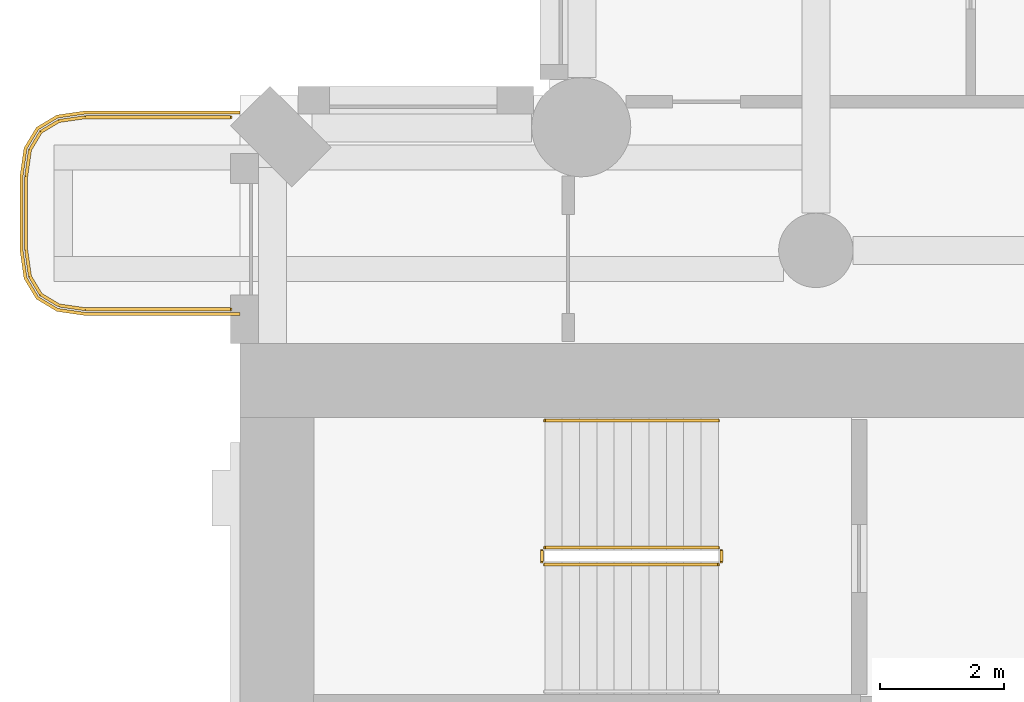
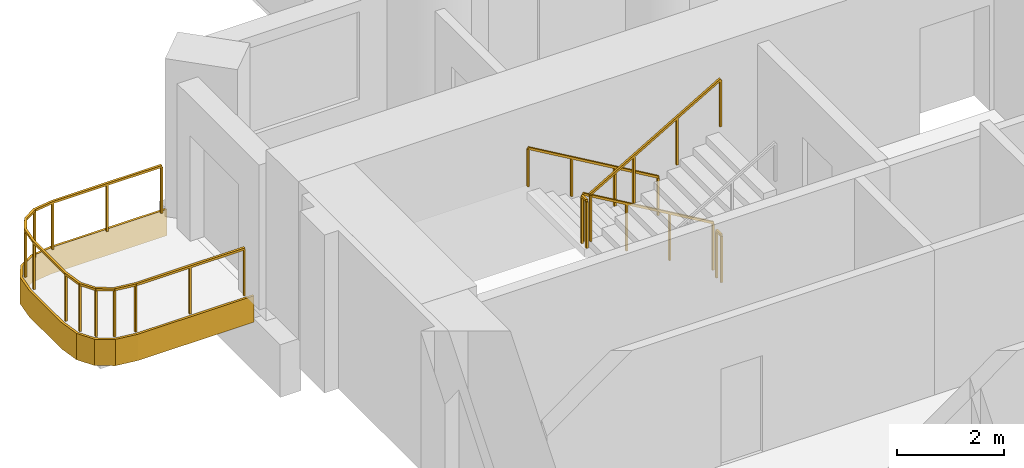
# One storey, part 16 of 19: 6 railings, 1 covering.
"""IFC4 building model written with IfcOpenShell, lengths in metres."""

from ifc_helpers import new_model, si_unit, direction, frame, origin, origin_2d, place, context, subcontext, project, spatial, polyline, rectangle, outline, extrude, material, layer, layer_set, type_object, element, save


model = new_model("IFC4")

# Units and contexts
model_context = context("Model", 3, precision=1e-05, world=origin(), true_north=direction((0.0, 1.0)))
body_context = subcontext(model_context, "Body", "Model", "MODEL_VIEW")
ifc_project = project(units=[si_unit("LENGTHUNIT", "METRE"), si_unit("AREAUNIT", "SQUARE_METRE"), si_unit("VOLUMEUNIT", "CUBIC_METRE"), si_unit("PLANEANGLEUNIT", "RADIAN"), si_unit("MASSUNIT", "GRAM", prefix="KILO")], contexts=[model_context])

# Site, building, storey
site_placement = place(None, origin())
site = spatial("IfcSite", under=ifc_project, at=site_placement, CompositionType="ELEMENT")
building_placement = place(site_placement, origin())
building = spatial("IfcBuilding", under=site, at=building_placement, Name="Cypress Arch Tower", CompositionType="ELEMENT")
storey_placement = place(building_placement, frame((0.0, 0.0, 98.699951171875)))
storey = spatial("IfcBuildingStorey", under=building, at=storey_placement, Name="L19", CompositionType="ELEMENT", Elevation=98.699951171875)

# Covering
ifc_material_1 = material(Name="White powder-coated aluminium fascia", Category="aluminium")
ifc_layer = layer(ifc_material_1, 0.050048828125)
ifc_layer_set = layer_set([ifc_layer], Name="Balcony fascia BF50")
covering_type = type_object("IfcCoveringType", Name="Balcony fascia BF50", PredefinedType="CLADDING", material=ifc_layer_set)
covering_placement = place(storey_placement, frame((0.0, 0.0, -0.599853515625)))
element("IfcCovering", 1, at=covering_placement, inside=storey, type_object=covering_type, Name="Balcony fascia L19-A00W0", PredefinedType="CLADDING", context=body_context, shape_type="SweptSolid", body=[
    extrude(outline(polyline([(-32.503662109375, 16.449951171875), (-32.95458984375, 16.514404296875), (-33.286376953125, 16.713623046875), (-33.485595703125, 17.04541015625), (-33.550048828125, 17.496337890625), (-33.550048828125, 18.70361328125), (-33.485595703125, 19.154541015625), (-33.286376953125, 19.486328125), (-32.95458984375, 19.685546875), (-32.503662109375, 19.75), (-30.0009765625, 19.75), (-30.0009765625, 19.699951171875), (-32.5, 19.699951171875), (-32.9375, 19.637451171875), (-33.25, 19.449951171875), (-33.4375, 19.137451171875), (-33.5, 18.699951171875), (-33.5, 17.5), (-33.4375, 17.0625), (-33.25, 16.75), (-32.9375, 16.5625), (-32.5, 16.5), (-30.0009765625, 16.5), (-30.0009765625, 16.449951171875), (-32.503662109375, 16.449951171875)])), origin(), (0.0, 0.0, 1.0), 0.599853515625),
])

# Railings
ifc_material_2 = material(Name="Powder-coated steel posts and rods, 100 mm clear between rods", Category="steel")
railing_type_1 = type_object("IfcRailingType", Name="Balcony guard GR1100", PredefinedType="GUARDRAIL", material=ifc_material_2)
railing_1_placement = place(storey_placement, frame((-30.14990234375, 16.550048828125, 0.0)))
element("IfcRailing", 2, at=railing_1_placement, inside=storey, type_object=railing_type_1, Name="Balcony guard L19-A00W0", PredefinedType="GUARDRAIL", context=body_context, shape_type="SweptSolid", body=[
    extrude(rectangle(XDim=0.050048828125, YDim=0.050048828125, at=origin_2d()), frame((0.0, 0.0, 1.0751953125), z_axis=(-1.0, 0.0, 0.0), x_axis=(0.0, -1.0, 0.0)), (0.0, 0.0, 1.0), 2.346435546875),
    extrude(rectangle(XDim=0.050048828125, YDim=0.050048828125, at=origin_2d()), frame((-2.346435546875, 0.0, 1.0751953125), z_axis=(-0.989960888959, 0.141341566184, 0.0), x_axis=(-0.141341566184, -0.989960888959, 0.0)), (0.0, 0.0, 1.0), 0.428466796875),
    extrude(rectangle(XDim=0.050048828125, YDim=0.050048828125, at=origin_2d()), frame((-2.7705078125, 0.060546875, 1.0751953125), z_axis=(-0.857681904839, 0.514180659021, 0.0), x_axis=(-0.514180659021, -0.857681904839, 0.0)), (0.0, 0.0, 1.0), 0.341796875),
    extrude(rectangle(XDim=0.050048828125, YDim=0.050048828125, at=origin_2d()), frame((-3.063720703125, 0.236328125, 1.0751953125), z_axis=(-0.514180659021, 0.857681904839, 0.0), x_axis=(-0.857681904839, -0.514180659021, 0.0)), (0.0, 0.0, 1.0), 0.341796875),
    extrude(rectangle(XDim=0.050048828125, YDim=0.050048828125, at=origin_2d()), frame((-3.239501953125, 0.529541015625, 1.0751953125), z_axis=(-0.141341566184, 0.989960888959, 0.0), x_axis=(-0.989960888959, -0.141341566184, 0.0)), (0.0, 0.0, 1.0), 0.428466796875),
    extrude(rectangle(XDim=0.050048828125, YDim=0.050048828125, at=origin_2d()), frame((-3.300048828125, 0.95361328125, 1.0751953125), z_axis=(0.0, 1.0, 0.0), x_axis=(-1.0, 0.0, 0.0)), (0.0, 0.0, 1.0), 1.19287109375),
    extrude(rectangle(XDim=0.050048828125, YDim=0.050048828125, at=origin_2d()), frame((-3.300048828125, 2.146484375, 1.0751953125), z_axis=(0.141421356237, 0.989949493661, 0.0), x_axis=(-0.989949493661, 0.141421356237, 0.0)), (0.0, 0.0, 1.0), 0.42822265625),
    extrude(rectangle(XDim=0.050048828125, YDim=0.050048828125, at=origin_2d()), frame((-3.239501953125, 2.5703125, 1.0751953125), z_axis=(0.514180659021, 0.857681904839, 0.0), x_axis=(-0.857681904839, 0.514180659021, 0.0)), (0.0, 0.0, 1.0), 0.341796875),
    extrude(rectangle(XDim=0.050048828125, YDim=0.050048828125, at=origin_2d()), frame((-3.063720703125, 2.863525390625, 1.0751953125), z_axis=(0.857681904839, 0.514180659021, 0.0), x_axis=(-0.514180659021, 0.857681904839, 0.0)), (0.0, 0.0, 1.0), 0.341796875),
    extrude(rectangle(XDim=0.050048828125, YDim=0.050048828125, at=origin_2d()), frame((-2.7705078125, 3.039306640625, 1.0751953125), z_axis=(0.989960888959, 0.141341566184, 0.0), x_axis=(-0.141341566184, 0.989960888959, 0.0)), (0.0, 0.0, 1.0), 0.428466796875),
    extrude(rectangle(XDim=0.050048828125, YDim=0.050048828125, at=origin_2d()), frame((-2.346435546875, 3.099853515625, 1.0751953125), z_axis=(1.0, 0.0, 0.0), x_axis=(0.0, 1.0, 0.0)), (0.0, 0.0, 1.0), 2.346435546875),
    extrude(rectangle(XDim=0.0400390625, YDim=0.0400390625, at=origin_2d()), origin(), (0.0, 0.0, 1.0), 1.050048828125),
    extrude(rectangle(XDim=0.0400390625, YDim=0.0400390625, at=origin_2d()), frame((-1.17333984375, 0.0, 0.0)), (0.0, 0.0, 1.0), 1.050048828125),
    extrude(rectangle(XDim=0.0400390625, YDim=0.0400390625, at=origin_2d()), frame((-2.346435546875, 0.0, 0.0)), (0.0, 0.0, 1.0), 1.050048828125),
    extrude(rectangle(XDim=0.0400390625, YDim=0.0400390625, at=origin_2d()), frame((-2.7705078125, 0.060546875, 0.0)), (0.0, 0.0, 1.0), 1.050048828125),
    extrude(rectangle(XDim=0.0400390625, YDim=0.0400390625, at=origin_2d()), frame((-3.063720703125, 0.236328125, 0.0)), (0.0, 0.0, 1.0), 1.050048828125),
    extrude(rectangle(XDim=0.0400390625, YDim=0.0400390625, at=origin_2d()), frame((-3.239501953125, 0.529541015625, 0.0)), (0.0, 0.0, 1.0), 1.050048828125),
    extrude(rectangle(XDim=0.0400390625, YDim=0.0400390625, at=origin_2d()), frame((-3.300048828125, 0.95361328125, 0.0)), (0.0, 0.0, 1.0), 1.050048828125),
    extrude(rectangle(XDim=0.0400390625, YDim=0.0400390625, at=origin_2d()), frame((-3.300048828125, 2.146484375, 0.0)), (0.0, 0.0, 1.0), 1.050048828125),
    extrude(rectangle(XDim=0.0400390625, YDim=0.0400390625, at=origin_2d()), frame((-3.239501953125, 2.5703125, 0.0)), (0.0, 0.0, 1.0), 1.050048828125),
    extrude(rectangle(XDim=0.0400390625, YDim=0.0400390625, at=origin_2d()), frame((-3.063720703125, 2.863525390625, 0.0)), (0.0, 0.0, 1.0), 1.050048828125),
    extrude(rectangle(XDim=0.0400390625, YDim=0.0400390625, at=origin_2d()), frame((-2.7705078125, 3.039306640625, 0.0)), (0.0, 0.0, 1.0), 1.050048828125),
    extrude(rectangle(XDim=0.0400390625, YDim=0.0400390625, at=origin_2d()), frame((-2.346435546875, 3.099853515625, 0.0)), (0.0, 0.0, 1.0), 1.050048828125),
    extrude(rectangle(XDim=0.0400390625, YDim=0.0400390625, at=origin_2d()), frame((-1.17333984375, 3.099853515625, 0.0)), (0.0, 0.0, 1.0), 1.050048828125),
    extrude(rectangle(XDim=0.0400390625, YDim=0.0400390625, at=origin_2d()), frame((0.0, 3.099853515625, 0.0)), (0.0, 0.0, 1.0), 1.050048828125),
])
ifc_material_3 = material(Name="Black powder-coated steel square bar 48 mm", Category="steel")
railing_type_2 = type_object("IfcRailingType", Name="Stair handrail HR1", PredefinedType="HANDRAIL", material=ifc_material_3)
railing_2_placement = place(storey_placement, frame((-22.27490234375, 14.75, 0.16357421875)))
element("IfcRailing", 3, at=railing_2_placement, inside=storey, type_object=railing_type_2, Name="L19 B stair handrail 1", PredefinedType="HANDRAIL", context=body_context, shape_type="SweptSolid", body=[
    extrude(rectangle(XDim=0.048095703125, YDim=0.048095703125, at=origin_2d()), frame((0.0, 0.0, 0.8759765625), z_axis=(-0.863360870873, 0.0, 0.504586966384), x_axis=(0.0, -1.0, 0.0)), (0.0, 0.0, 1.0), 3.2431640625),
    extrude(rectangle(XDim=0.0419921875, YDim=0.0419921875, at=origin_2d()), origin(), (0.0, 0.0, 1.0), 0.851806640625),
    extrude(rectangle(XDim=0.0419921875, YDim=0.0419921875, at=origin_2d()), frame((-0.933349609375, 0.0, 0.54541015625)), (0.0, 0.0, 1.0), 0.851806640625),
    extrude(rectangle(XDim=0.0419921875, YDim=0.0419921875, at=origin_2d()), frame((-1.86669921875, 0.0, 1.091064453125)), (0.0, 0.0, 1.0), 0.851806640625),
    extrude(rectangle(XDim=0.0419921875, YDim=0.0419921875, at=origin_2d()), frame((-2.800048828125, 0.0, 1.636474609375)), (0.0, 0.0, 1.0), 0.851806640625),
])
ifc_material_4 = material(Name="Black powder-coated steel balusters", Category="steel")
railing_type_3 = type_object("IfcRailingType", Name="Stair well guard G1", PredefinedType="GUARDRAIL", material=ifc_material_4)
railing_3_placement = place(storey_placement, frame((-22.27490234375, 12.699951171875, 0.16357421875)))
element("IfcRailing", 4, at=railing_3_placement, inside=storey, type_object=railing_type_3, Name="L19 B stair guard 1", PredefinedType="GUARDRAIL", context=body_context, shape_type="SweptSolid", body=[
    extrude(rectangle(XDim=0.048095703125, YDim=0.048095703125, at=origin_2d()), frame((0.0, 0.0, 1.076171875), z_axis=(-0.863360870873, 0.0, 0.504586966384), x_axis=(0.0, -1.0, 0.0)), (0.0, 0.0, 1.0), 3.2431640625),
    extrude(rectangle(XDim=0.0419921875, YDim=0.0419921875, at=origin_2d()), origin(), (0.0, 0.0, 1.0), 1.052001953125),
    extrude(rectangle(XDim=0.0419921875, YDim=0.0419921875, at=origin_2d()), frame((-0.933349609375, 0.0, 0.54541015625)), (0.0, 0.0, 1.0), 1.052001953125),
    extrude(rectangle(XDim=0.0419921875, YDim=0.0419921875, at=origin_2d()), frame((-1.86669921875, 0.0, 1.091064453125)), (0.0, 0.0, 1.0), 1.052001953125),
    extrude(rectangle(XDim=0.0419921875, YDim=0.0419921875, at=origin_2d()), frame((-2.800048828125, 0.0, 1.636474609375)), (0.0, 0.0, 1.0), 1.052001953125),
])
railing_4_placement = place(storey_placement, frame((-25.125, 12.64990234375, 1.800048828125)))
element("IfcRailing", 5, at=railing_4_placement, inside=storey, type_object=railing_type_3, Name="L19 B stair guard 2", PredefinedType="GUARDRAIL", context=body_context, shape_type="SweptSolid", body=[
    extrude(rectangle(XDim=0.048095703125, YDim=0.048095703125, at=origin_2d()), frame((0.0, 0.0, 1.076171875), z_axis=(0.0, -1.0, 0.0), x_axis=(1.0, 0.0, 0.0)), (0.0, 0.0, 1.0), 0.1748046875),
    extrude(rectangle(XDim=0.0419921875, YDim=0.0419921875, at=origin_2d()), origin(), (0.0, 0.0, 1.0), 1.052001953125),
    extrude(rectangle(XDim=0.0419921875, YDim=0.0419921875, at=origin_2d()), frame((0.0, -0.1748046875, 0.0)), (0.0, 0.0, 1.0), 1.052001953125),
])
railing_5_placement = place(storey_placement, frame((-25.074951171875, 12.425048828125, 1.963623046875)))
element("IfcRailing", 6, at=railing_5_placement, inside=storey, type_object=railing_type_3, Name="L19 B stair guard 3", PredefinedType="GUARDRAIL", context=body_context, shape_type="SweptSolid", body=[
    extrude(rectangle(XDim=0.048095703125, YDim=0.048095703125, at=origin_2d()), frame((0.0, 0.0, 1.076171875), z_axis=(0.863360870873, 0.0, 0.504586966384), x_axis=(0.0, 1.0, 0.0)), (0.0, 0.0, 1.0), 3.2431640625),
    extrude(rectangle(XDim=0.0419921875, YDim=0.0419921875, at=origin_2d()), origin(), (0.0, 0.0, 1.0), 1.052001953125),
    extrude(rectangle(XDim=0.0419921875, YDim=0.0419921875, at=origin_2d()), frame((0.933349609375, 0.0, 0.54541015625)), (0.0, 0.0, 1.0), 1.052001953125),
    extrude(rectangle(XDim=0.0419921875, YDim=0.0419921875, at=origin_2d()), frame((1.86669921875, 0.0, 1.091064453125)), (0.0, 0.0, 1.0), 1.052001953125),
    extrude(rectangle(XDim=0.0419921875, YDim=0.0419921875, at=origin_2d()), frame((2.800048828125, 0.0, 1.636474609375)), (0.0, 0.0, 1.0), 1.052001953125),
])
railing_6_placement = place(storey_placement, frame((-22.22509765625, 12.64990234375, 0.0)))
element("IfcRailing", 7, at=railing_6_placement, inside=storey, type_object=railing_type_3, Name="L19 B stair guard 4", PredefinedType="GUARDRAIL", context=body_context, shape_type="SweptSolid", body=[
    extrude(rectangle(XDim=0.048095703125, YDim=0.048095703125, at=origin_2d()), frame((0.0, 0.0, 1.076171875), z_axis=(0.0, -1.0, 0.0), x_axis=(1.0, 0.0, 0.0)), (0.0, 0.0, 1.0), 0.1748046875),
    extrude(rectangle(XDim=0.0419921875, YDim=0.0419921875, at=origin_2d()), origin(), (0.0, 0.0, 1.0), 1.052001953125),
    extrude(rectangle(XDim=0.0419921875, YDim=0.0419921875, at=origin_2d()), frame((0.0, -0.1748046875, 0.0)), (0.0, 0.0, 1.0), 1.052001953125),
])

save(model, "model.ifc")
